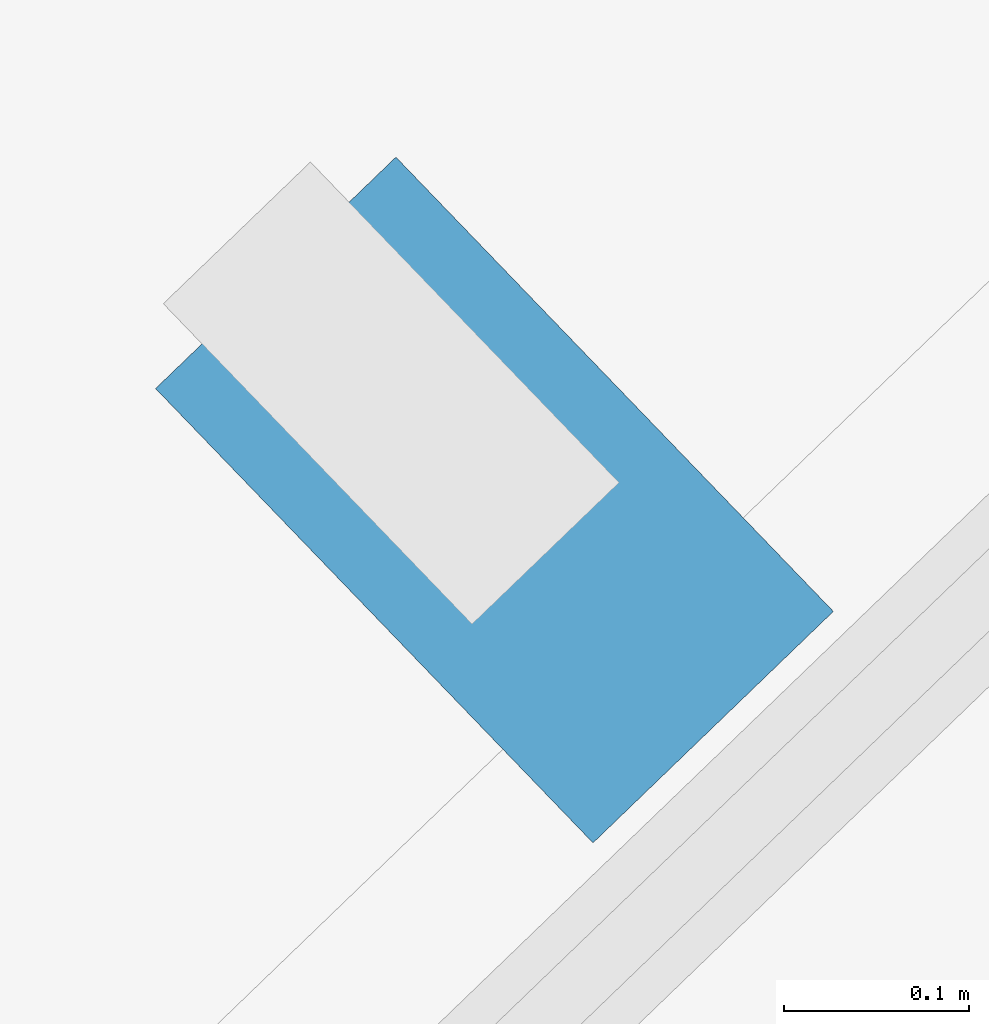
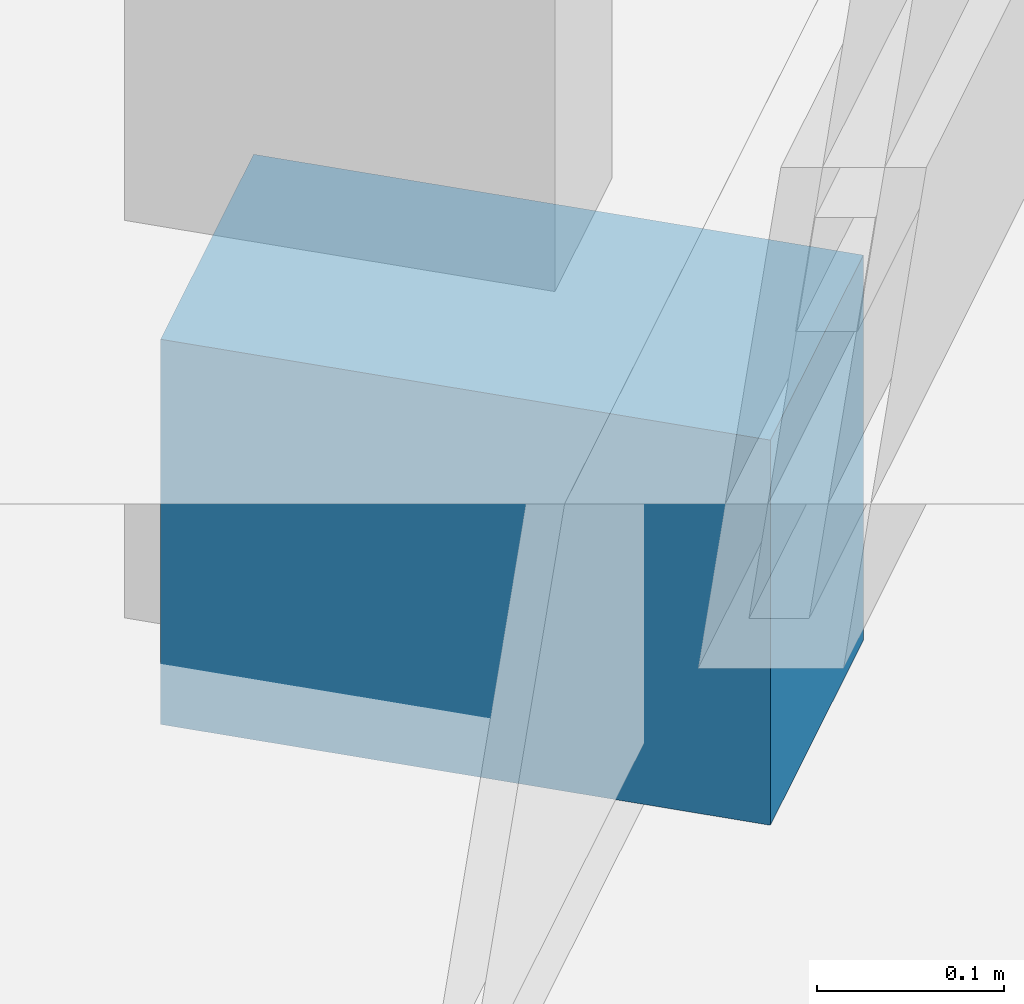
# One storey, part 17 of 26: 1 discrete accessory.
"""IFC4 building model written with IfcOpenShell, lengths in metres."""

from ifc_helpers import new_model, si_unit, direction, frame, origin, origin_2d, place, context, subcontext, project, spatial, rectangle, extrude, source, transform, mapped, material, type_object, type_shapes, element, save


model = new_model("IFC4")

# Units and contexts
model_context = context("Model", 3, precision=1e-05, world=origin(), true_north=direction((0.0, 1.0)))
body_context = subcontext(model_context, "Body", "Model", "MODEL_VIEW")
ifc_project = project(units=[si_unit("LENGTHUNIT", "METRE"), si_unit("AREAUNIT", "SQUARE_METRE"), si_unit("VOLUMEUNIT", "CUBIC_METRE"), si_unit("PLANEANGLEUNIT", "RADIAN"), si_unit("MASSUNIT", "GRAM", prefix="KILO")], contexts=[model_context])

# Site, building, storey
site_placement = place(None, origin())
site = spatial("IfcSite", under=ifc_project, at=site_placement, CompositionType="ELEMENT")
building_placement = place(site_placement, origin())
building = spatial("IfcBuilding", under=site, at=building_placement, Name="Tavelor Broadcast Tower", CompositionType="ELEMENT")
storey_placement = place(building_placement, frame((0.0, 0.0, 5.800048828125)))
storey = spatial("IfcBuildingStorey", under=building, at=storey_placement, Name="L01", CompositionType="ELEMENT", Elevation=5.800048828125)

# Discrete accessory
ifc_material = material(Name="Steel S355", Category="steel")
discrete_accessory_type = type_object("IfcDiscreteAccessoryType", Name="Stainless Baguette Outrigger Support Bracket 260x180", PredefinedType="BRACKET", material=ifc_material)
shared_shape = source(origin(), body_context, "Body", "SweptSolid", [
    extrude(rectangle(XDim=0.179931640625, YDim=0.340087890625, at=origin_2d()), origin(), (0.0, 0.0, 1.0), 0.251953125),
])
type_shapes(discrete_accessory_type, [shared_shape])
discrete_accessory_placement = place(storey_placement, frame((41.23388671875, 83.652099609375, -0.301025390625), z_axis=(0.0, 0.0, 1.0), x_axis=(-0.720309024888, -0.693653305813, 0.0)))
element("IfcDiscreteAccessory", 1, at=discrete_accessory_placement, inside=storey, type_object=discrete_accessory_type, Name="L01 Baguette Outrigger Bracket 1", PredefinedType="BRACKET", context=body_context, shape_type="MappedRepresentation", body=[
    mapped(shared_shape, transform((0.0, 0.0, 0.0), scale=1.0)),
])

save(model, "model.ifc")
